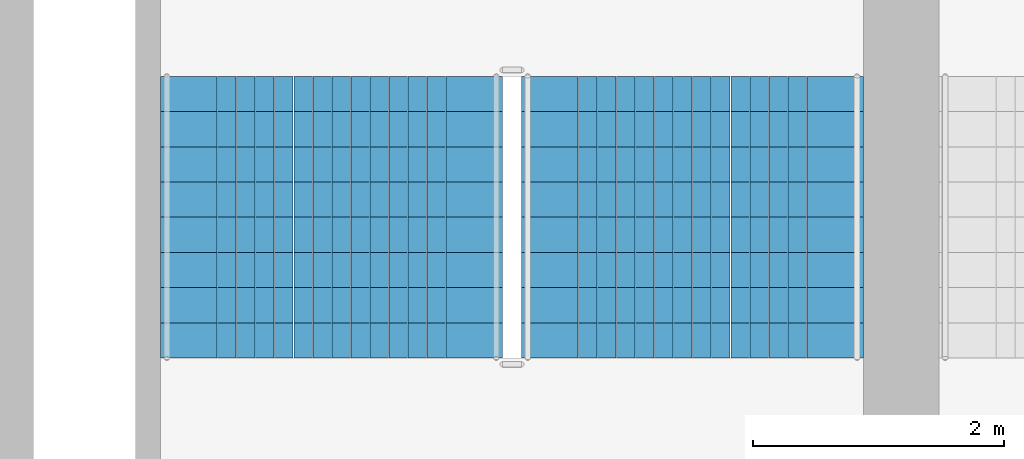
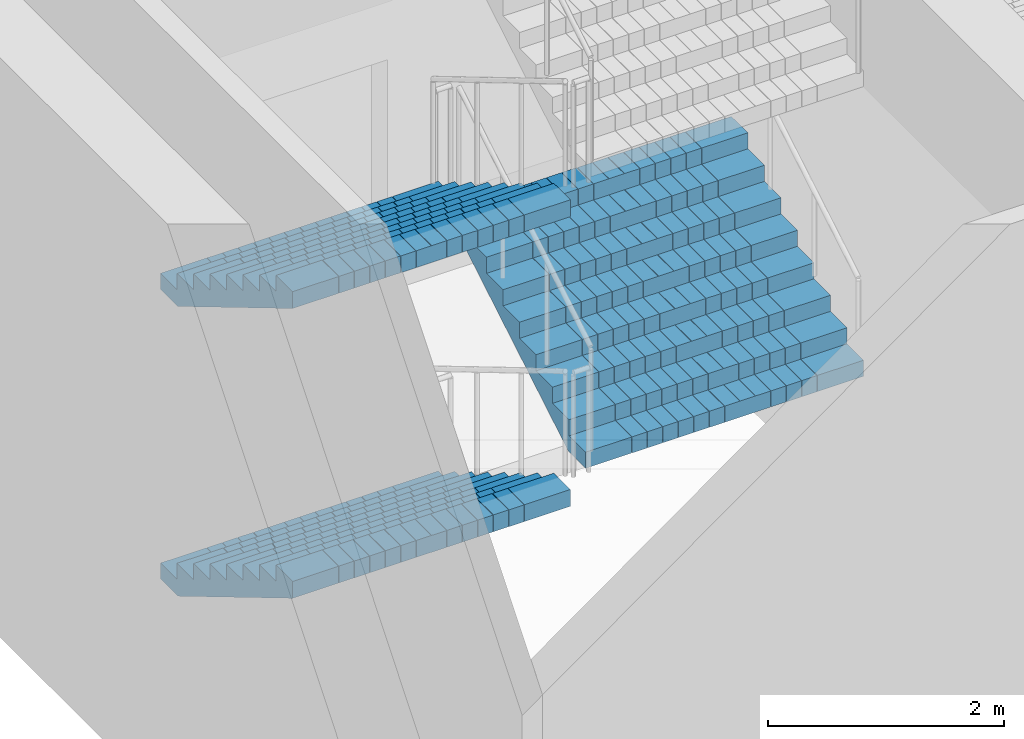
# One storey, part 18 of 41: 3 stair flights, 1 element without a shape of its own.
"""IFC4 building model written with IfcOpenShell, lengths in metres."""

from ifc_helpers import new_model, si_unit, direction, frame, origin, place, context, subcontext, project, spatial, polyline, outline, extrude, material, type_object, element, aggregate, save


model = new_model("IFC4")

# Units and contexts
model_context = context("Model", 3, precision=1e-05, world=origin(), true_north=direction((0.0, 1.0)))
body_context = subcontext(model_context, "Body", "Model", "MODEL_VIEW")
ifc_project = project(units=[si_unit("LENGTHUNIT", "METRE"), si_unit("AREAUNIT", "SQUARE_METRE"), si_unit("VOLUMEUNIT", "CUBIC_METRE"), si_unit("PLANEANGLEUNIT", "RADIAN"), si_unit("MASSUNIT", "GRAM", prefix="KILO")], contexts=[model_context])

# Site, building, storey
site_placement = place(None, origin())
site = spatial("IfcSite", under=ifc_project, at=site_placement, CompositionType="ELEMENT")
building_placement = place(site_placement, origin())
building = spatial("IfcBuilding", under=site, at=building_placement, Name="Corbelhall Arena Tower", CompositionType="ELEMENT")
storey_placement = place(building_placement, frame((0.0, 0.0, 19.0)))
storey = spatial("IfcBuildingStorey", under=building, at=storey_placement, Name="L02", CompositionType="ELEMENT", Elevation=19.0)

# Stair, stair flights
ifc_material = material(Name="Reinforced concrete C40/50", Category="concrete")
stair_type = type_object("IfcStairType", Name="AR-EXIT-STAIR", PredefinedType="HALF_TURN_STAIR", material=ifc_material)
stair_placement = place(storey_placement, origin())
stair = element("IfcStair", 1, at=stair_placement, inside=storey, type_object=stair_type, Name="L02 exit stair AS8", PredefinedType="HALF_TURN_STAIR")
stair_flight_type = type_object("IfcStairFlightType", Name="AR-EXIT-FLIGHT", PredefinedType="STRAIGHT", material=ifc_material)
stair_flight_1_placement = place(storey_placement, frame((-45.030029296875, -27.320068359375, 0.0), z_axis=(0.0, 0.0, 1.0), x_axis=(0.0, -1.0, 0.0)))
stair_flight_1 = element("IfcStairFlight", 2, at=stair_flight_1_placement, type_object=stair_flight_type, Name="AS8 flight 1", NumberOfRisers=9, NumberOfTreads=8, PredefinedType="STRAIGHT", RiserHeight=0.166666667, TreadLength=0.28, context=body_context, shape_type="SweptSolid", body=[
    extrude(outline(polyline([(0.0, 0.0), (0.0, 0.166748046875), (0.280029296875, 0.166748046875), (0.280029296875, 0.333251953125), (0.56005859375, 0.333251953125), (0.56005859375, 0.5), (0.840087890625, 0.5), (0.840087890625, 0.666748046875), (1.1201171875, 0.666748046875), (1.1201171875, 0.833251953125), (1.39990234375, 0.833251953125), (1.39990234375, 1.0), (1.679931640625, 1.0), (1.679931640625, 1.166748046875), (1.9599609375, 1.166748046875), (1.9599609375, 1.333251953125), (2.239990234375, 1.333251953125), (2.239990234375, 1.5), (2.239990234375, 1.158935546875), (0.29296875, 0.0), (0.0, 0.0)])), frame((0.0, 1.35986328125, 0.0), z_axis=(0.0, -1.0, 0.0), x_axis=(1.0, 0.0, 0.0)), (0.0, 0.0, 1.0), 0.449951171875),
    extrude(outline(polyline([(0.0, 0.0), (0.0, 0.166748046875), (0.280029296875, 0.166748046875), (0.280029296875, 0.333251953125), (0.56005859375, 0.333251953125), (0.56005859375, 0.5), (0.840087890625, 0.5), (0.840087890625, 0.666748046875), (1.1201171875, 0.666748046875), (1.1201171875, 0.833251953125), (1.39990234375, 0.833251953125), (1.39990234375, 1.0), (1.679931640625, 1.0), (1.679931640625, 1.166748046875), (1.9599609375, 1.166748046875), (1.9599609375, 1.333251953125), (2.239990234375, 1.333251953125), (2.239990234375, 1.5), (2.239990234375, 1.158935546875), (0.29296875, 0.0), (0.0, 0.0)])), frame((0.0, 0.906005859375, 0.0), z_axis=(0.0, -1.0, 0.0), x_axis=(1.0, 0.0, 0.0)), (0.0, 0.0, 1.0), 0.147216796875),
    extrude(outline(polyline([(0.0, 0.0), (0.0, 0.166748046875), (0.280029296875, 0.166748046875), (0.280029296875, 0.333251953125), (0.56005859375, 0.333251953125), (0.56005859375, 0.5), (0.840087890625, 0.5), (0.840087890625, 0.666748046875), (1.1201171875, 0.666748046875), (1.1201171875, 0.833251953125), (1.39990234375, 0.833251953125), (1.39990234375, 1.0), (1.679931640625, 1.0), (1.679931640625, 1.166748046875), (1.9599609375, 1.166748046875), (1.9599609375, 1.333251953125), (2.239990234375, 1.333251953125), (2.239990234375, 1.5), (2.239990234375, 1.158935546875), (0.29296875, 0.0), (0.0, 0.0)])), frame((0.0, 0.754638671875, 0.0), z_axis=(0.0, -1.0, 0.0), x_axis=(1.0, 0.0, 0.0)), (0.0, 0.0, 1.0), 0.147216796875),
    extrude(outline(polyline([(0.0, 0.0), (0.0, 0.166748046875), (0.280029296875, 0.166748046875), (0.280029296875, 0.333251953125), (0.56005859375, 0.333251953125), (0.56005859375, 0.5), (0.840087890625, 0.5), (0.840087890625, 0.666748046875), (1.1201171875, 0.666748046875), (1.1201171875, 0.833251953125), (1.39990234375, 0.833251953125), (1.39990234375, 1.0), (1.679931640625, 1.0), (1.679931640625, 1.166748046875), (1.9599609375, 1.166748046875), (1.9599609375, 1.333251953125), (2.239990234375, 1.333251953125), (2.239990234375, 1.5), (2.239990234375, 1.158935546875), (0.29296875, 0.0), (0.0, 0.0)])), frame((0.0, 0.603271484375, 0.0), z_axis=(0.0, -1.0, 0.0), x_axis=(1.0, 0.0, 0.0)), (0.0, 0.0, 1.0), 0.147216796875),
    extrude(outline(polyline([(0.0, 0.0), (0.0, 0.166748046875), (0.280029296875, 0.166748046875), (0.280029296875, 0.333251953125), (0.56005859375, 0.333251953125), (0.56005859375, 0.5), (0.840087890625, 0.5), (0.840087890625, 0.666748046875), (1.1201171875, 0.666748046875), (1.1201171875, 0.833251953125), (1.39990234375, 0.833251953125), (1.39990234375, 1.0), (1.679931640625, 1.0), (1.679931640625, 1.166748046875), (1.9599609375, 1.166748046875), (1.9599609375, 1.333251953125), (2.239990234375, 1.333251953125), (2.239990234375, 1.5), (2.239990234375, 1.158935546875), (0.29296875, 0.0), (0.0, 0.0)])), frame((0.0, 0.451904296875, 0.0), z_axis=(0.0, -1.0, 0.0), x_axis=(1.0, 0.0, 0.0)), (0.0, 0.0, 1.0), 0.147216796875),
    extrude(outline(polyline([(0.0, 0.0), (0.0, 0.166748046875), (0.280029296875, 0.166748046875), (0.280029296875, 0.333251953125), (0.56005859375, 0.333251953125), (0.56005859375, 0.5), (0.840087890625, 0.5), (0.840087890625, 0.666748046875), (1.1201171875, 0.666748046875), (1.1201171875, 0.833251953125), (1.39990234375, 0.833251953125), (1.39990234375, 1.0), (1.679931640625, 1.0), (1.679931640625, 1.166748046875), (1.9599609375, 1.166748046875), (1.9599609375, 1.333251953125), (2.239990234375, 1.333251953125), (2.239990234375, 1.5), (2.239990234375, 1.158935546875), (0.29296875, 0.0), (0.0, 0.0)])), frame((0.0, 0.30078125, 0.0), z_axis=(0.0, -1.0, 0.0), x_axis=(1.0, 0.0, 0.0)), (0.0, 0.0, 1.0), 0.147216796875),
    extrude(outline(polyline([(0.0, 0.0), (0.0, 0.166748046875), (0.280029296875, 0.166748046875), (0.280029296875, 0.333251953125), (0.56005859375, 0.333251953125), (0.56005859375, 0.5), (0.840087890625, 0.5), (0.840087890625, 0.666748046875), (1.1201171875, 0.666748046875), (1.1201171875, 0.833251953125), (1.39990234375, 0.833251953125), (1.39990234375, 1.0), (1.679931640625, 1.0), (1.679931640625, 1.166748046875), (1.9599609375, 1.166748046875), (1.9599609375, 1.333251953125), (2.239990234375, 1.333251953125), (2.239990234375, 1.5), (2.239990234375, 1.158935546875), (0.29296875, 0.0), (0.0, 0.0)])), frame((0.0, 0.1494140625, 0.0), z_axis=(0.0, -1.0, 0.0), x_axis=(1.0, 0.0, 0.0)), (0.0, 0.0, 1.0), 0.147216796875),
    extrude(outline(polyline([(0.0, 0.0), (0.0, 0.166748046875), (0.280029296875, 0.166748046875), (0.280029296875, 0.333251953125), (0.56005859375, 0.333251953125), (0.56005859375, 0.5), (0.840087890625, 0.5), (0.840087890625, 0.666748046875), (1.1201171875, 0.666748046875), (1.1201171875, 0.833251953125), (1.39990234375, 0.833251953125), (1.39990234375, 1.0), (1.679931640625, 1.0), (1.679931640625, 1.166748046875), (1.9599609375, 1.166748046875), (1.9599609375, 1.333251953125), (2.239990234375, 1.333251953125), (2.239990234375, 1.5), (2.239990234375, 1.158935546875), (0.29296875, 0.0), (0.0, 0.0)])), frame((0.0, -0.001953125, 0.0), z_axis=(0.0, -1.0, 0.0), x_axis=(1.0, 0.0, 0.0)), (0.0, 0.0, 1.0), 0.147216796875),
    extrude(outline(polyline([(0.0, 0.0), (0.0, 0.166748046875), (0.280029296875, 0.166748046875), (0.280029296875, 0.333251953125), (0.56005859375, 0.333251953125), (0.56005859375, 0.5), (0.840087890625, 0.5), (0.840087890625, 0.666748046875), (1.1201171875, 0.666748046875), (1.1201171875, 0.833251953125), (1.39990234375, 0.833251953125), (1.39990234375, 1.0), (1.679931640625, 1.0), (1.679931640625, 1.166748046875), (1.9599609375, 1.166748046875), (1.9599609375, 1.333251953125), (2.239990234375, 1.333251953125), (2.239990234375, 1.5), (2.239990234375, 1.158935546875), (0.29296875, 0.0), (0.0, 0.0)])), frame((0.0, -0.1533203125, 0.0), z_axis=(0.0, -1.0, 0.0), x_axis=(1.0, 0.0, 0.0)), (0.0, 0.0, 1.0), 0.147216796875),
    extrude(outline(polyline([(0.0, 0.0), (0.0, 0.166748046875), (0.280029296875, 0.166748046875), (0.280029296875, 0.333251953125), (0.56005859375, 0.333251953125), (0.56005859375, 0.5), (0.840087890625, 0.5), (0.840087890625, 0.666748046875), (1.1201171875, 0.666748046875), (1.1201171875, 0.833251953125), (1.39990234375, 0.833251953125), (1.39990234375, 1.0), (1.679931640625, 1.0), (1.679931640625, 1.166748046875), (1.9599609375, 1.166748046875), (1.9599609375, 1.333251953125), (2.239990234375, 1.333251953125), (2.239990234375, 1.5), (2.239990234375, 1.158935546875), (0.29296875, 0.0), (0.0, 0.0)])), frame((0.0, -0.3046875, 0.0), z_axis=(0.0, -1.0, 0.0), x_axis=(1.0, 0.0, 0.0)), (0.0, 0.0, 1.0), 0.147216796875),
    extrude(outline(polyline([(0.0, 0.0), (0.0, 0.166748046875), (0.280029296875, 0.166748046875), (0.280029296875, 0.333251953125), (0.56005859375, 0.333251953125), (0.56005859375, 0.5), (0.840087890625, 0.5), (0.840087890625, 0.666748046875), (1.1201171875, 0.666748046875), (1.1201171875, 0.833251953125), (1.39990234375, 0.833251953125), (1.39990234375, 1.0), (1.679931640625, 1.0), (1.679931640625, 1.166748046875), (1.9599609375, 1.166748046875), (1.9599609375, 1.333251953125), (2.239990234375, 1.333251953125), (2.239990234375, 1.5), (2.239990234375, 1.158935546875), (0.29296875, 0.0), (0.0, 0.0)])), frame((0.0, -0.4560546875, 0.0), z_axis=(0.0, -1.0, 0.0), x_axis=(1.0, 0.0, 0.0)), (0.0, 0.0, 1.0), 0.147216796875),
    extrude(outline(polyline([(0.0, 0.0), (0.0, 0.166748046875), (0.280029296875, 0.166748046875), (0.280029296875, 0.333251953125), (0.56005859375, 0.333251953125), (0.56005859375, 0.5), (0.840087890625, 0.5), (0.840087890625, 0.666748046875), (1.1201171875, 0.666748046875), (1.1201171875, 0.833251953125), (1.39990234375, 0.833251953125), (1.39990234375, 1.0), (1.679931640625, 1.0), (1.679931640625, 1.166748046875), (1.9599609375, 1.166748046875), (1.9599609375, 1.333251953125), (2.239990234375, 1.333251953125), (2.239990234375, 1.5), (2.239990234375, 1.158935546875), (0.29296875, 0.0), (0.0, 0.0)])), frame((0.0, -0.607421875, 0.0), z_axis=(0.0, -1.0, 0.0), x_axis=(1.0, 0.0, 0.0)), (0.0, 0.0, 1.0), 0.147216796875),
    extrude(outline(polyline([(0.0, 0.0), (0.0, 0.166748046875), (0.280029296875, 0.166748046875), (0.280029296875, 0.333251953125), (0.56005859375, 0.333251953125), (0.56005859375, 0.5), (0.840087890625, 0.5), (0.840087890625, 0.666748046875), (1.1201171875, 0.666748046875), (1.1201171875, 0.833251953125), (1.39990234375, 0.833251953125), (1.39990234375, 1.0), (1.679931640625, 1.0), (1.679931640625, 1.166748046875), (1.9599609375, 1.166748046875), (1.9599609375, 1.333251953125), (2.239990234375, 1.333251953125), (2.239990234375, 1.5), (2.239990234375, 1.158935546875), (0.29296875, 0.0), (0.0, 0.0)])), frame((0.0, -0.758544921875, 0.0), z_axis=(0.0, -1.0, 0.0), x_axis=(1.0, 0.0, 0.0)), (0.0, 0.0, 1.0), 0.147216796875),
    extrude(outline(polyline([(0.0, 0.0), (0.0, 0.166748046875), (0.280029296875, 0.166748046875), (0.280029296875, 0.333251953125), (0.56005859375, 0.333251953125), (0.56005859375, 0.5), (0.840087890625, 0.5), (0.840087890625, 0.666748046875), (1.1201171875, 0.666748046875), (1.1201171875, 0.833251953125), (1.39990234375, 0.833251953125), (1.39990234375, 1.0), (1.679931640625, 1.0), (1.679931640625, 1.166748046875), (1.9599609375, 1.166748046875), (1.9599609375, 1.333251953125), (2.239990234375, 1.333251953125), (2.239990234375, 1.5), (2.239990234375, 1.158935546875), (0.29296875, 0.0), (0.0, 0.0)])), frame((0.0, -0.909912109375, 0.0), z_axis=(0.0, -1.0, 0.0), x_axis=(1.0, 0.0, 0.0)), (0.0, 0.0, 1.0), 0.449951171875),
])
stair_flight_2_placement = place(storey_placement, frame((-42.159912109375, -29.56005859375, 1.5), z_axis=(0.0, 0.0, 1.0), x_axis=(0.0, 1.0, 0.0)))
stair_flight_2 = element("IfcStairFlight", 3, at=stair_flight_2_placement, type_object=stair_flight_type, Name="AS8 flight 2", NumberOfRisers=9, NumberOfTreads=8, PredefinedType="STRAIGHT", RiserHeight=0.166666667, TreadLength=0.28, context=body_context, shape_type="SweptSolid", body=[
    extrude(outline(polyline([(0.0, 0.0), (0.0, 0.166748046875), (0.280029296875, 0.166748046875), (0.280029296875, 0.333251953125), (0.56005859375, 0.333251953125), (0.56005859375, 0.5), (0.840087890625, 0.5), (0.840087890625, 0.666748046875), (1.1201171875, 0.666748046875), (1.1201171875, 0.833251953125), (1.39990234375, 0.833251953125), (1.39990234375, 1.0), (1.679931640625, 1.0), (1.679931640625, 1.166748046875), (1.9599609375, 1.166748046875), (1.9599609375, 1.333251953125), (2.239990234375, 1.333251953125), (2.239990234375, 1.5), (2.239990234375, 1.158935546875), (0.29296875, 0.0), (0.0, 0.0)])), frame((0.0, 1.35986328125, 0.0), z_axis=(0.0, -1.0, 0.0), x_axis=(1.0, 0.0, 0.0)), (0.0, 0.0, 1.0), 0.449951171875),
    extrude(outline(polyline([(0.0, 0.0), (0.0, 0.166748046875), (0.280029296875, 0.166748046875), (0.280029296875, 0.333251953125), (0.56005859375, 0.333251953125), (0.56005859375, 0.5), (0.840087890625, 0.5), (0.840087890625, 0.666748046875), (1.1201171875, 0.666748046875), (1.1201171875, 0.833251953125), (1.39990234375, 0.833251953125), (1.39990234375, 1.0), (1.679931640625, 1.0), (1.679931640625, 1.166748046875), (1.9599609375, 1.166748046875), (1.9599609375, 1.333251953125), (2.239990234375, 1.333251953125), (2.239990234375, 1.5), (2.239990234375, 1.158935546875), (0.29296875, 0.0), (0.0, 0.0)])), frame((0.0, 0.906005859375, 0.0), z_axis=(0.0, -1.0, 0.0), x_axis=(1.0, 0.0, 0.0)), (0.0, 0.0, 1.0), 0.147216796875),
    extrude(outline(polyline([(0.0, 0.0), (0.0, 0.166748046875), (0.280029296875, 0.166748046875), (0.280029296875, 0.333251953125), (0.56005859375, 0.333251953125), (0.56005859375, 0.5), (0.840087890625, 0.5), (0.840087890625, 0.666748046875), (1.1201171875, 0.666748046875), (1.1201171875, 0.833251953125), (1.39990234375, 0.833251953125), (1.39990234375, 1.0), (1.679931640625, 1.0), (1.679931640625, 1.166748046875), (1.9599609375, 1.166748046875), (1.9599609375, 1.333251953125), (2.239990234375, 1.333251953125), (2.239990234375, 1.5), (2.239990234375, 1.158935546875), (0.29296875, 0.0), (0.0, 0.0)])), frame((0.0, 0.754638671875, 0.0), z_axis=(0.0, -1.0, 0.0), x_axis=(1.0, 0.0, 0.0)), (0.0, 0.0, 1.0), 0.147216796875),
    extrude(outline(polyline([(0.0, 0.0), (0.0, 0.166748046875), (0.280029296875, 0.166748046875), (0.280029296875, 0.333251953125), (0.56005859375, 0.333251953125), (0.56005859375, 0.5), (0.840087890625, 0.5), (0.840087890625, 0.666748046875), (1.1201171875, 0.666748046875), (1.1201171875, 0.833251953125), (1.39990234375, 0.833251953125), (1.39990234375, 1.0), (1.679931640625, 1.0), (1.679931640625, 1.166748046875), (1.9599609375, 1.166748046875), (1.9599609375, 1.333251953125), (2.239990234375, 1.333251953125), (2.239990234375, 1.5), (2.239990234375, 1.158935546875), (0.29296875, 0.0), (0.0, 0.0)])), frame((0.0, 0.603271484375, 0.0), z_axis=(0.0, -1.0, 0.0), x_axis=(1.0, 0.0, 0.0)), (0.0, 0.0, 1.0), 0.147216796875),
    extrude(outline(polyline([(0.0, 0.0), (0.0, 0.166748046875), (0.280029296875, 0.166748046875), (0.280029296875, 0.333251953125), (0.56005859375, 0.333251953125), (0.56005859375, 0.5), (0.840087890625, 0.5), (0.840087890625, 0.666748046875), (1.1201171875, 0.666748046875), (1.1201171875, 0.833251953125), (1.39990234375, 0.833251953125), (1.39990234375, 1.0), (1.679931640625, 1.0), (1.679931640625, 1.166748046875), (1.9599609375, 1.166748046875), (1.9599609375, 1.333251953125), (2.239990234375, 1.333251953125), (2.239990234375, 1.5), (2.239990234375, 1.158935546875), (0.29296875, 0.0), (0.0, 0.0)])), frame((0.0, 0.451904296875, 0.0), z_axis=(0.0, -1.0, 0.0), x_axis=(1.0, 0.0, 0.0)), (0.0, 0.0, 1.0), 0.147216796875),
    extrude(outline(polyline([(0.0, 0.0), (0.0, 0.166748046875), (0.280029296875, 0.166748046875), (0.280029296875, 0.333251953125), (0.56005859375, 0.333251953125), (0.56005859375, 0.5), (0.840087890625, 0.5), (0.840087890625, 0.666748046875), (1.1201171875, 0.666748046875), (1.1201171875, 0.833251953125), (1.39990234375, 0.833251953125), (1.39990234375, 1.0), (1.679931640625, 1.0), (1.679931640625, 1.166748046875), (1.9599609375, 1.166748046875), (1.9599609375, 1.333251953125), (2.239990234375, 1.333251953125), (2.239990234375, 1.5), (2.239990234375, 1.158935546875), (0.29296875, 0.0), (0.0, 0.0)])), frame((0.0, 0.30078125, 0.0), z_axis=(0.0, -1.0, 0.0), x_axis=(1.0, 0.0, 0.0)), (0.0, 0.0, 1.0), 0.147216796875),
    extrude(outline(polyline([(0.0, 0.0), (0.0, 0.166748046875), (0.280029296875, 0.166748046875), (0.280029296875, 0.333251953125), (0.56005859375, 0.333251953125), (0.56005859375, 0.5), (0.840087890625, 0.5), (0.840087890625, 0.666748046875), (1.1201171875, 0.666748046875), (1.1201171875, 0.833251953125), (1.39990234375, 0.833251953125), (1.39990234375, 1.0), (1.679931640625, 1.0), (1.679931640625, 1.166748046875), (1.9599609375, 1.166748046875), (1.9599609375, 1.333251953125), (2.239990234375, 1.333251953125), (2.239990234375, 1.5), (2.239990234375, 1.158935546875), (0.29296875, 0.0), (0.0, 0.0)])), frame((0.0, 0.1494140625, 0.0), z_axis=(0.0, -1.0, 0.0), x_axis=(1.0, 0.0, 0.0)), (0.0, 0.0, 1.0), 0.147216796875),
    extrude(outline(polyline([(0.0, 0.0), (0.0, 0.166748046875), (0.280029296875, 0.166748046875), (0.280029296875, 0.333251953125), (0.56005859375, 0.333251953125), (0.56005859375, 0.5), (0.840087890625, 0.5), (0.840087890625, 0.666748046875), (1.1201171875, 0.666748046875), (1.1201171875, 0.833251953125), (1.39990234375, 0.833251953125), (1.39990234375, 1.0), (1.679931640625, 1.0), (1.679931640625, 1.166748046875), (1.9599609375, 1.166748046875), (1.9599609375, 1.333251953125), (2.239990234375, 1.333251953125), (2.239990234375, 1.5), (2.239990234375, 1.158935546875), (0.29296875, 0.0), (0.0, 0.0)])), frame((0.0, -0.001953125, 0.0), z_axis=(0.0, -1.0, 0.0), x_axis=(1.0, 0.0, 0.0)), (0.0, 0.0, 1.0), 0.147216796875),
    extrude(outline(polyline([(0.0, 0.0), (0.0, 0.166748046875), (0.280029296875, 0.166748046875), (0.280029296875, 0.333251953125), (0.56005859375, 0.333251953125), (0.56005859375, 0.5), (0.840087890625, 0.5), (0.840087890625, 0.666748046875), (1.1201171875, 0.666748046875), (1.1201171875, 0.833251953125), (1.39990234375, 0.833251953125), (1.39990234375, 1.0), (1.679931640625, 1.0), (1.679931640625, 1.166748046875), (1.9599609375, 1.166748046875), (1.9599609375, 1.333251953125), (2.239990234375, 1.333251953125), (2.239990234375, 1.5), (2.239990234375, 1.158935546875), (0.29296875, 0.0), (0.0, 0.0)])), frame((0.0, -0.1533203125, 0.0), z_axis=(0.0, -1.0, 0.0), x_axis=(1.0, 0.0, 0.0)), (0.0, 0.0, 1.0), 0.147216796875),
    extrude(outline(polyline([(0.0, 0.0), (0.0, 0.166748046875), (0.280029296875, 0.166748046875), (0.280029296875, 0.333251953125), (0.56005859375, 0.333251953125), (0.56005859375, 0.5), (0.840087890625, 0.5), (0.840087890625, 0.666748046875), (1.1201171875, 0.666748046875), (1.1201171875, 0.833251953125), (1.39990234375, 0.833251953125), (1.39990234375, 1.0), (1.679931640625, 1.0), (1.679931640625, 1.166748046875), (1.9599609375, 1.166748046875), (1.9599609375, 1.333251953125), (2.239990234375, 1.333251953125), (2.239990234375, 1.5), (2.239990234375, 1.158935546875), (0.29296875, 0.0), (0.0, 0.0)])), frame((0.0, -0.3046875, 0.0), z_axis=(0.0, -1.0, 0.0), x_axis=(1.0, 0.0, 0.0)), (0.0, 0.0, 1.0), 0.147216796875),
    extrude(outline(polyline([(0.0, 0.0), (0.0, 0.166748046875), (0.280029296875, 0.166748046875), (0.280029296875, 0.333251953125), (0.56005859375, 0.333251953125), (0.56005859375, 0.5), (0.840087890625, 0.5), (0.840087890625, 0.666748046875), (1.1201171875, 0.666748046875), (1.1201171875, 0.833251953125), (1.39990234375, 0.833251953125), (1.39990234375, 1.0), (1.679931640625, 1.0), (1.679931640625, 1.166748046875), (1.9599609375, 1.166748046875), (1.9599609375, 1.333251953125), (2.239990234375, 1.333251953125), (2.239990234375, 1.5), (2.239990234375, 1.158935546875), (0.29296875, 0.0), (0.0, 0.0)])), frame((0.0, -0.4560546875, 0.0), z_axis=(0.0, -1.0, 0.0), x_axis=(1.0, 0.0, 0.0)), (0.0, 0.0, 1.0), 0.147216796875),
    extrude(outline(polyline([(0.0, 0.0), (0.0, 0.166748046875), (0.280029296875, 0.166748046875), (0.280029296875, 0.333251953125), (0.56005859375, 0.333251953125), (0.56005859375, 0.5), (0.840087890625, 0.5), (0.840087890625, 0.666748046875), (1.1201171875, 0.666748046875), (1.1201171875, 0.833251953125), (1.39990234375, 0.833251953125), (1.39990234375, 1.0), (1.679931640625, 1.0), (1.679931640625, 1.166748046875), (1.9599609375, 1.166748046875), (1.9599609375, 1.333251953125), (2.239990234375, 1.333251953125), (2.239990234375, 1.5), (2.239990234375, 1.158935546875), (0.29296875, 0.0), (0.0, 0.0)])), frame((0.0, -0.607421875, 0.0), z_axis=(0.0, -1.0, 0.0), x_axis=(1.0, 0.0, 0.0)), (0.0, 0.0, 1.0), 0.147216796875),
    extrude(outline(polyline([(0.0, 0.0), (0.0, 0.166748046875), (0.280029296875, 0.166748046875), (0.280029296875, 0.333251953125), (0.56005859375, 0.333251953125), (0.56005859375, 0.5), (0.840087890625, 0.5), (0.840087890625, 0.666748046875), (1.1201171875, 0.666748046875), (1.1201171875, 0.833251953125), (1.39990234375, 0.833251953125), (1.39990234375, 1.0), (1.679931640625, 1.0), (1.679931640625, 1.166748046875), (1.9599609375, 1.166748046875), (1.9599609375, 1.333251953125), (2.239990234375, 1.333251953125), (2.239990234375, 1.5), (2.239990234375, 1.158935546875), (0.29296875, 0.0), (0.0, 0.0)])), frame((0.0, -0.758544921875, 0.0), z_axis=(0.0, -1.0, 0.0), x_axis=(1.0, 0.0, 0.0)), (0.0, 0.0, 1.0), 0.147216796875),
    extrude(outline(polyline([(0.0, 0.0), (0.0, 0.166748046875), (0.280029296875, 0.166748046875), (0.280029296875, 0.333251953125), (0.56005859375, 0.333251953125), (0.56005859375, 0.5), (0.840087890625, 0.5), (0.840087890625, 0.666748046875), (1.1201171875, 0.666748046875), (1.1201171875, 0.833251953125), (1.39990234375, 0.833251953125), (1.39990234375, 1.0), (1.679931640625, 1.0), (1.679931640625, 1.166748046875), (1.9599609375, 1.166748046875), (1.9599609375, 1.333251953125), (2.239990234375, 1.333251953125), (2.239990234375, 1.5), (2.239990234375, 1.158935546875), (0.29296875, 0.0), (0.0, 0.0)])), frame((0.0, -0.909912109375, 0.0), z_axis=(0.0, -1.0, 0.0), x_axis=(1.0, 0.0, 0.0)), (0.0, 0.0, 1.0), 0.449951171875),
])
stair_flight_3_placement = place(storey_placement, frame((-45.030029296875, -27.320068359375, 3.0), z_axis=(0.0, 0.0, 1.0), x_axis=(0.0, -1.0, 0.0)))
stair_flight_3 = element("IfcStairFlight", 4, at=stair_flight_3_placement, type_object=stair_flight_type, Name="AS8 flight 3", NumberOfRisers=9, NumberOfTreads=8, PredefinedType="STRAIGHT", RiserHeight=0.166666667, TreadLength=0.28, context=body_context, shape_type="SweptSolid", body=[
    extrude(outline(polyline([(0.0, 0.0), (0.0, 0.166748046875), (0.280029296875, 0.166748046875), (0.280029296875, 0.333251953125), (0.56005859375, 0.333251953125), (0.56005859375, 0.5), (0.840087890625, 0.5), (0.840087890625, 0.666748046875), (1.1201171875, 0.666748046875), (1.1201171875, 0.833251953125), (1.39990234375, 0.833251953125), (1.39990234375, 1.0), (1.679931640625, 1.0), (1.679931640625, 1.166748046875), (1.9599609375, 1.166748046875), (1.9599609375, 1.333251953125), (2.239990234375, 1.333251953125), (2.239990234375, 1.5), (2.239990234375, 1.158935546875), (0.29296875, 0.0), (0.0, 0.0)])), frame((0.0, 1.35986328125, 0.0), z_axis=(0.0, -1.0, 0.0), x_axis=(1.0, 0.0, 0.0)), (0.0, 0.0, 1.0), 0.449951171875),
    extrude(outline(polyline([(0.0, 0.0), (0.0, 0.166748046875), (0.280029296875, 0.166748046875), (0.280029296875, 0.333251953125), (0.56005859375, 0.333251953125), (0.56005859375, 0.5), (0.840087890625, 0.5), (0.840087890625, 0.666748046875), (1.1201171875, 0.666748046875), (1.1201171875, 0.833251953125), (1.39990234375, 0.833251953125), (1.39990234375, 1.0), (1.679931640625, 1.0), (1.679931640625, 1.166748046875), (1.9599609375, 1.166748046875), (1.9599609375, 1.333251953125), (2.239990234375, 1.333251953125), (2.239990234375, 1.5), (2.239990234375, 1.158935546875), (0.29296875, 0.0), (0.0, 0.0)])), frame((0.0, 0.906005859375, 0.0), z_axis=(0.0, -1.0, 0.0), x_axis=(1.0, 0.0, 0.0)), (0.0, 0.0, 1.0), 0.147216796875),
    extrude(outline(polyline([(0.0, 0.0), (0.0, 0.166748046875), (0.280029296875, 0.166748046875), (0.280029296875, 0.333251953125), (0.56005859375, 0.333251953125), (0.56005859375, 0.5), (0.840087890625, 0.5), (0.840087890625, 0.666748046875), (1.1201171875, 0.666748046875), (1.1201171875, 0.833251953125), (1.39990234375, 0.833251953125), (1.39990234375, 1.0), (1.679931640625, 1.0), (1.679931640625, 1.166748046875), (1.9599609375, 1.166748046875), (1.9599609375, 1.333251953125), (2.239990234375, 1.333251953125), (2.239990234375, 1.5), (2.239990234375, 1.158935546875), (0.29296875, 0.0), (0.0, 0.0)])), frame((0.0, 0.754638671875, 0.0), z_axis=(0.0, -1.0, 0.0), x_axis=(1.0, 0.0, 0.0)), (0.0, 0.0, 1.0), 0.147216796875),
    extrude(outline(polyline([(0.0, 0.0), (0.0, 0.166748046875), (0.280029296875, 0.166748046875), (0.280029296875, 0.333251953125), (0.56005859375, 0.333251953125), (0.56005859375, 0.5), (0.840087890625, 0.5), (0.840087890625, 0.666748046875), (1.1201171875, 0.666748046875), (1.1201171875, 0.833251953125), (1.39990234375, 0.833251953125), (1.39990234375, 1.0), (1.679931640625, 1.0), (1.679931640625, 1.166748046875), (1.9599609375, 1.166748046875), (1.9599609375, 1.333251953125), (2.239990234375, 1.333251953125), (2.239990234375, 1.5), (2.239990234375, 1.158935546875), (0.29296875, 0.0), (0.0, 0.0)])), frame((0.0, 0.603271484375, 0.0), z_axis=(0.0, -1.0, 0.0), x_axis=(1.0, 0.0, 0.0)), (0.0, 0.0, 1.0), 0.147216796875),
    extrude(outline(polyline([(0.0, 0.0), (0.0, 0.166748046875), (0.280029296875, 0.166748046875), (0.280029296875, 0.333251953125), (0.56005859375, 0.333251953125), (0.56005859375, 0.5), (0.840087890625, 0.5), (0.840087890625, 0.666748046875), (1.1201171875, 0.666748046875), (1.1201171875, 0.833251953125), (1.39990234375, 0.833251953125), (1.39990234375, 1.0), (1.679931640625, 1.0), (1.679931640625, 1.166748046875), (1.9599609375, 1.166748046875), (1.9599609375, 1.333251953125), (2.239990234375, 1.333251953125), (2.239990234375, 1.5), (2.239990234375, 1.158935546875), (0.29296875, 0.0), (0.0, 0.0)])), frame((0.0, 0.451904296875, 0.0), z_axis=(0.0, -1.0, 0.0), x_axis=(1.0, 0.0, 0.0)), (0.0, 0.0, 1.0), 0.147216796875),
    extrude(outline(polyline([(0.0, 0.0), (0.0, 0.166748046875), (0.280029296875, 0.166748046875), (0.280029296875, 0.333251953125), (0.56005859375, 0.333251953125), (0.56005859375, 0.5), (0.840087890625, 0.5), (0.840087890625, 0.666748046875), (1.1201171875, 0.666748046875), (1.1201171875, 0.833251953125), (1.39990234375, 0.833251953125), (1.39990234375, 1.0), (1.679931640625, 1.0), (1.679931640625, 1.166748046875), (1.9599609375, 1.166748046875), (1.9599609375, 1.333251953125), (2.239990234375, 1.333251953125), (2.239990234375, 1.5), (2.239990234375, 1.158935546875), (0.29296875, 0.0), (0.0, 0.0)])), frame((0.0, 0.30078125, 0.0), z_axis=(0.0, -1.0, 0.0), x_axis=(1.0, 0.0, 0.0)), (0.0, 0.0, 1.0), 0.147216796875),
    extrude(outline(polyline([(0.0, 0.0), (0.0, 0.166748046875), (0.280029296875, 0.166748046875), (0.280029296875, 0.333251953125), (0.56005859375, 0.333251953125), (0.56005859375, 0.5), (0.840087890625, 0.5), (0.840087890625, 0.666748046875), (1.1201171875, 0.666748046875), (1.1201171875, 0.833251953125), (1.39990234375, 0.833251953125), (1.39990234375, 1.0), (1.679931640625, 1.0), (1.679931640625, 1.166748046875), (1.9599609375, 1.166748046875), (1.9599609375, 1.333251953125), (2.239990234375, 1.333251953125), (2.239990234375, 1.5), (2.239990234375, 1.158935546875), (0.29296875, 0.0), (0.0, 0.0)])), frame((0.0, 0.1494140625, 0.0), z_axis=(0.0, -1.0, 0.0), x_axis=(1.0, 0.0, 0.0)), (0.0, 0.0, 1.0), 0.147216796875),
    extrude(outline(polyline([(0.0, 0.0), (0.0, 0.166748046875), (0.280029296875, 0.166748046875), (0.280029296875, 0.333251953125), (0.56005859375, 0.333251953125), (0.56005859375, 0.5), (0.840087890625, 0.5), (0.840087890625, 0.666748046875), (1.1201171875, 0.666748046875), (1.1201171875, 0.833251953125), (1.39990234375, 0.833251953125), (1.39990234375, 1.0), (1.679931640625, 1.0), (1.679931640625, 1.166748046875), (1.9599609375, 1.166748046875), (1.9599609375, 1.333251953125), (2.239990234375, 1.333251953125), (2.239990234375, 1.5), (2.239990234375, 1.158935546875), (0.29296875, 0.0), (0.0, 0.0)])), frame((0.0, -0.001953125, 0.0), z_axis=(0.0, -1.0, 0.0), x_axis=(1.0, 0.0, 0.0)), (0.0, 0.0, 1.0), 0.147216796875),
    extrude(outline(polyline([(0.0, 0.0), (0.0, 0.166748046875), (0.280029296875, 0.166748046875), (0.280029296875, 0.333251953125), (0.56005859375, 0.333251953125), (0.56005859375, 0.5), (0.840087890625, 0.5), (0.840087890625, 0.666748046875), (1.1201171875, 0.666748046875), (1.1201171875, 0.833251953125), (1.39990234375, 0.833251953125), (1.39990234375, 1.0), (1.679931640625, 1.0), (1.679931640625, 1.166748046875), (1.9599609375, 1.166748046875), (1.9599609375, 1.333251953125), (2.239990234375, 1.333251953125), (2.239990234375, 1.5), (2.239990234375, 1.158935546875), (0.29296875, 0.0), (0.0, 0.0)])), frame((0.0, -0.1533203125, 0.0), z_axis=(0.0, -1.0, 0.0), x_axis=(1.0, 0.0, 0.0)), (0.0, 0.0, 1.0), 0.147216796875),
    extrude(outline(polyline([(0.0, 0.0), (0.0, 0.166748046875), (0.280029296875, 0.166748046875), (0.280029296875, 0.333251953125), (0.56005859375, 0.333251953125), (0.56005859375, 0.5), (0.840087890625, 0.5), (0.840087890625, 0.666748046875), (1.1201171875, 0.666748046875), (1.1201171875, 0.833251953125), (1.39990234375, 0.833251953125), (1.39990234375, 1.0), (1.679931640625, 1.0), (1.679931640625, 1.166748046875), (1.9599609375, 1.166748046875), (1.9599609375, 1.333251953125), (2.239990234375, 1.333251953125), (2.239990234375, 1.5), (2.239990234375, 1.158935546875), (0.29296875, 0.0), (0.0, 0.0)])), frame((0.0, -0.3046875, 0.0), z_axis=(0.0, -1.0, 0.0), x_axis=(1.0, 0.0, 0.0)), (0.0, 0.0, 1.0), 0.147216796875),
    extrude(outline(polyline([(0.0, 0.0), (0.0, 0.166748046875), (0.280029296875, 0.166748046875), (0.280029296875, 0.333251953125), (0.56005859375, 0.333251953125), (0.56005859375, 0.5), (0.840087890625, 0.5), (0.840087890625, 0.666748046875), (1.1201171875, 0.666748046875), (1.1201171875, 0.833251953125), (1.39990234375, 0.833251953125), (1.39990234375, 1.0), (1.679931640625, 1.0), (1.679931640625, 1.166748046875), (1.9599609375, 1.166748046875), (1.9599609375, 1.333251953125), (2.239990234375, 1.333251953125), (2.239990234375, 1.5), (2.239990234375, 1.158935546875), (0.29296875, 0.0), (0.0, 0.0)])), frame((0.0, -0.4560546875, 0.0), z_axis=(0.0, -1.0, 0.0), x_axis=(1.0, 0.0, 0.0)), (0.0, 0.0, 1.0), 0.147216796875),
    extrude(outline(polyline([(0.0, 0.0), (0.0, 0.166748046875), (0.280029296875, 0.166748046875), (0.280029296875, 0.333251953125), (0.56005859375, 0.333251953125), (0.56005859375, 0.5), (0.840087890625, 0.5), (0.840087890625, 0.666748046875), (1.1201171875, 0.666748046875), (1.1201171875, 0.833251953125), (1.39990234375, 0.833251953125), (1.39990234375, 1.0), (1.679931640625, 1.0), (1.679931640625, 1.166748046875), (1.9599609375, 1.166748046875), (1.9599609375, 1.333251953125), (2.239990234375, 1.333251953125), (2.239990234375, 1.5), (2.239990234375, 1.158935546875), (0.29296875, 0.0), (0.0, 0.0)])), frame((0.0, -0.607421875, 0.0), z_axis=(0.0, -1.0, 0.0), x_axis=(1.0, 0.0, 0.0)), (0.0, 0.0, 1.0), 0.147216796875),
    extrude(outline(polyline([(0.0, 0.0), (0.0, 0.166748046875), (0.280029296875, 0.166748046875), (0.280029296875, 0.333251953125), (0.56005859375, 0.333251953125), (0.56005859375, 0.5), (0.840087890625, 0.5), (0.840087890625, 0.666748046875), (1.1201171875, 0.666748046875), (1.1201171875, 0.833251953125), (1.39990234375, 0.833251953125), (1.39990234375, 1.0), (1.679931640625, 1.0), (1.679931640625, 1.166748046875), (1.9599609375, 1.166748046875), (1.9599609375, 1.333251953125), (2.239990234375, 1.333251953125), (2.239990234375, 1.5), (2.239990234375, 1.158935546875), (0.29296875, 0.0), (0.0, 0.0)])), frame((0.0, -0.758544921875, 0.0), z_axis=(0.0, -1.0, 0.0), x_axis=(1.0, 0.0, 0.0)), (0.0, 0.0, 1.0), 0.147216796875),
    extrude(outline(polyline([(0.0, 0.0), (0.0, 0.166748046875), (0.280029296875, 0.166748046875), (0.280029296875, 0.333251953125), (0.56005859375, 0.333251953125), (0.56005859375, 0.5), (0.840087890625, 0.5), (0.840087890625, 0.666748046875), (1.1201171875, 0.666748046875), (1.1201171875, 0.833251953125), (1.39990234375, 0.833251953125), (1.39990234375, 1.0), (1.679931640625, 1.0), (1.679931640625, 1.166748046875), (1.9599609375, 1.166748046875), (1.9599609375, 1.333251953125), (2.239990234375, 1.333251953125), (2.239990234375, 1.5), (2.239990234375, 1.158935546875), (0.29296875, 0.0), (0.0, 0.0)])), frame((0.0, -0.909912109375, 0.0), z_axis=(0.0, -1.0, 0.0), x_axis=(1.0, 0.0, 0.0)), (0.0, 0.0, 1.0), 0.449951171875),
])
aggregate(stair, [stair_flight_1, stair_flight_2, stair_flight_3])

save(model, "model.ifc")
